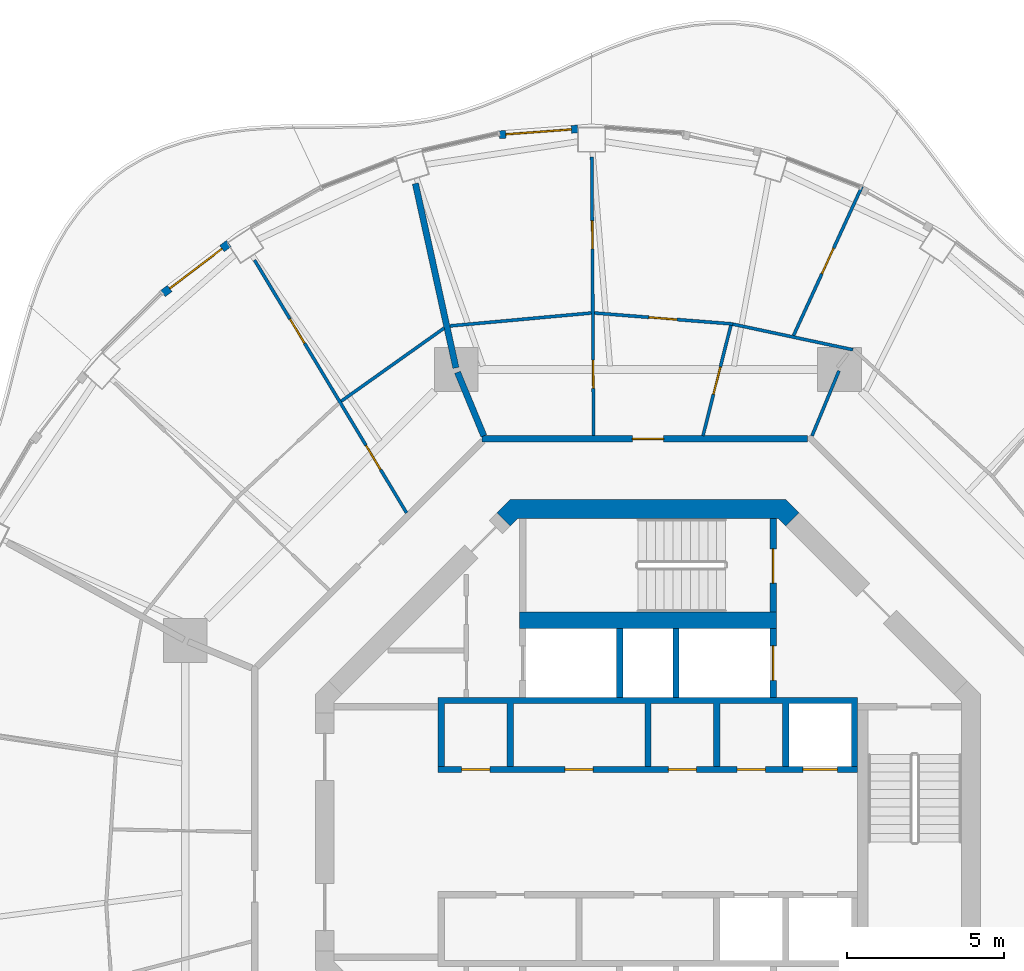
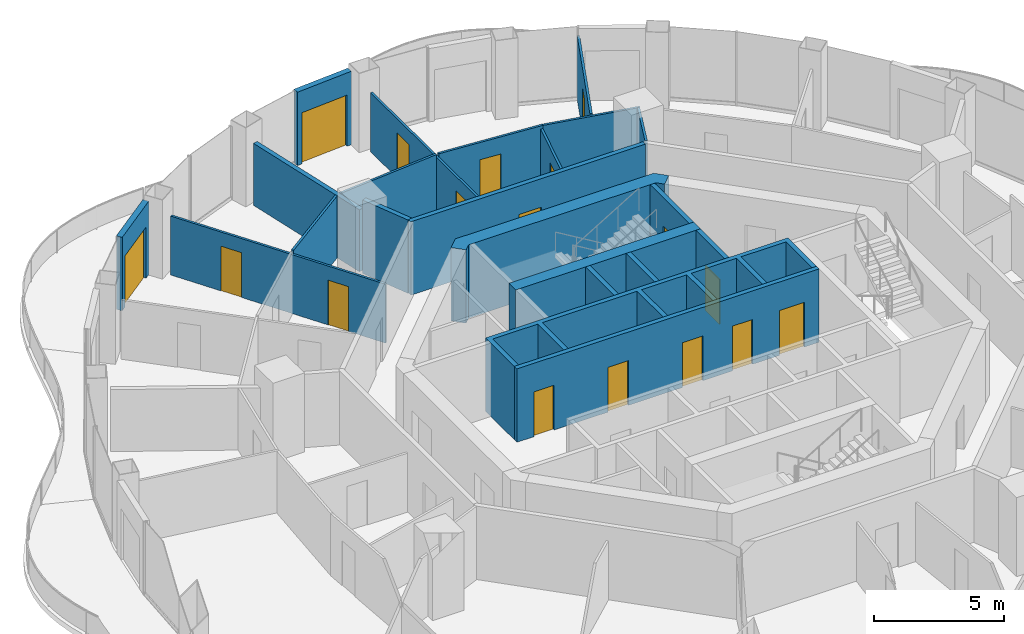
# One storey, part 13 of 17: 22 walls, 17 doors, 17 openings.
"""IFC4 building model written with IfcOpenShell, lengths in metres."""

from ifc_helpers import new_model, si_unit, direction, frame, frame_2d, origin, place, context, subcontext, project, spatial, polyline, rectangle, outline, extrude, material, layer, layer_set, type_object, element, fill, save


model = new_model("IFC4")

# Units and contexts
model_context = context("Model", 3, precision=1e-05, world=origin(), true_north=direction((0.0, 1.0)))
body_context = subcontext(model_context, "Body", "Model", "MODEL_VIEW")
ifc_project = project(units=[si_unit("LENGTHUNIT", "METRE"), si_unit("AREAUNIT", "SQUARE_METRE"), si_unit("VOLUMEUNIT", "CUBIC_METRE"), si_unit("PLANEANGLEUNIT", "RADIAN"), si_unit("MASSUNIT", "GRAM", prefix="KILO")], contexts=[model_context])

# Site, building, storey
site_placement = place(None, origin())
site = spatial("IfcSite", under=ifc_project, at=site_placement, CompositionType="ELEMENT")
building_placement = place(site_placement, origin())
building = spatial("IfcBuilding", under=site, at=building_placement, Name="Nagisa Residences", CompositionType="ELEMENT")
storey_placement = place(building_placement, frame((0.0, 0.0, 269.60009765625)))
storey = spatial("IfcBuildingStorey", under=building, at=storey_placement, Name="L68", CompositionType="ELEMENT", Elevation=269.60009765625)

# Walls
ifc_material_1 = material(Name="Gypsum board on steel studs", Category="steel")
ifc_layer_1 = layer(ifc_material_1, 0.199951171875)
ifc_layer_set_1 = layer_set([ifc_layer_1], Name="Apartment compartment wall EI60 200")
wall_type_1 = type_object("IfcWallType", Name="Apartment compartment wall EI60 200", PredefinedType="PARTITIONING", material=ifc_layer_set_1)
wall_1_placement = place(storey_placement, frame((-5.24267578125, 12.6572265625, 0.0), z_axis=(0.0, 0.0, 1.0), x_axis=(-0.38273085373, 0.923859888513, 0.0)))
element("IfcWall", 1, at=wall_1_placement, inside=storey, type_object=wall_type_1, Name="wall:L68:u02", PredefinedType="PARTITIONING", context=body_context, shape_type="SweptSolid", body=[
    extrude(rectangle(XDim=2.199462890625, YDim=0.199951171875, at=frame_2d((1.099609375, 0.0))), origin(), (0.0, 0.0, 1.0), 3.43994140625),
])
wall_2_placement = place(storey_placement, frame((-6.133544921875, 14.830810546875, 0.0), z_axis=(0.0, 0.0, 1.0), x_axis=(-0.214842475666, 0.976648714047, 0.0)))
element("IfcWall", 2, at=wall_2_placement, inside=storey, type_object=wall_type_1, Name="wall:L68:u03", PredefinedType="PARTITIONING", context=body_context, shape_type="SweptSolid", body=[
    extrude(rectangle(XDim=6.03076171875, YDim=0.199951171875, at=frame_2d((3.015380859375, 0.0))), origin(), (0.0, 0.0, 1.0), 2.90478515625),
])

# Wall, opening, door
ifc_material_2 = material(Name="Gypsum board on steel studs", Category="steel")
ifc_layer_2 = layer(ifc_material_2, 0.199951171875)
ifc_layer_set_2 = layer_set([ifc_layer_2], Name="Apartment entry wall EI60 200")
wall_type_2 = type_object("IfcWallType", Name="Apartment entry wall EI60 200", PredefinedType="PARTITIONING", material=ifc_layer_set_2)
wall_3_placement = place(storey_placement, frame((5.1044921875, 12.564697265625, 0.0), z_axis=(0.0, 0.0, 1.0), x_axis=(-1.0, 0.0, 0.0)))
wall_3 = element("IfcWall", 3, at=wall_3_placement, inside=storey, type_object=wall_type_2, Name="wall:L68:u12", PredefinedType="PARTITIONING", context=body_context, shape_type="SweptSolid", body=[
    extrude(rectangle(XDim=10.408935546875, YDim=0.199951171875, at=frame_2d((5.20458984375, 0.0))), origin(), (0.0, 0.0, 1.0), 3.43994140625),
])
opening_1_placement = place(wall_3_placement, frame((4.6044921875, 0.0, 0.0)))
opening_1 = element("IfcOpeningElement", 4, at=opening_1_placement, cuts=wall_3, Name="Opening L68-U01", PredefinedType="OPENING", context=body_context, shape_type="SweptSolid", body=[
    extrude(rectangle(XDim=1.0, YDim=2.10009765625, at=frame_2d((0.5, 1.050048828125))), frame((0.0, 0.10986328125, 0.0), z_axis=(0.0, -1.0, 0.0), x_axis=(1.0, 0.0, 0.0)), (0.0, 0.0, 1.0), 0.219970703125),
])
ifc_material_3 = material(Name="Timber fire door set", Category="wood")
door_type_1 = type_object("IfcDoorType", Name="Apartment entry door FD30S 1000x2100", OperationType="NOTDEFINED", PredefinedType="DOOR", material=ifc_material_3)
door_1_placement = place(opening_1_placement, frame((1.0, 0.0, 0.0), x_axis=(-1.0, 0.0, 0.0)))
door_1 = element("IfcDoor", 5, at=door_1_placement, inside=storey, type_object=door_type_1, Name="Entry door, Apartment 68A", OperationType="SINGLE_SWING_RIGHT", OverallHeight=2.10009765625, OverallWidth=1.0, PredefinedType="DOOR", context=body_context, shape_type="SweptSolid", body=[
    extrude(rectangle(XDim=1.0, YDim=2.10009765625, at=frame_2d((0.5, 1.050048828125))), frame((0.0, 0.02490234375, 0.0), z_axis=(0.0, -1.0, 0.0), x_axis=(1.0, 0.0, 0.0)), (0.0, 0.0, 1.0), 0.050048828125),
])
fill(opening_1, door_1)

# Walls
ifc_material_4 = material(Name="Gypsum board on steel studs", Category="steel")
ifc_layer_3 = layer(ifc_material_4, 0.10009765625)
ifc_layer_set_3 = layer_set([ifc_layer_3], Name="Apartment partition 100")
wall_type_3 = type_object("IfcWallType", Name="Apartment partition 100", PredefinedType="PARTITIONING", material=ifc_layer_set_3)
wall_4_placement = place(storey_placement, frame((5.24267578125, 12.6572265625, 0.0), z_axis=(0.0, 0.0, 1.0), x_axis=(0.382719158442, 0.923864733477, 0.0)))
element("IfcWall", 6, at=wall_4_placement, inside=storey, type_object=wall_type_3, Name="wall:L68:u27", PredefinedType="PARTITIONING", context=body_context, shape_type="SweptSolid", body=[
    extrude(rectangle(XDim=2.25, YDim=0.10009765625, at=frame_2d((1.125, 0.0))), origin(), (0.0, 0.0, 1.0), 3.43994140625),
])
wall_5_placement = place(storey_placement, frame((6.549560546875, 15.408935546875, 0.0), z_axis=(0.0, 0.0, 1.0), x_axis=(-0.978051195976, 0.208364723621, 0.0)))
element("IfcWall", 7, at=wall_5_placement, inside=storey, type_object=wall_type_3, Name="wall:L68:u28", PredefinedType="PARTITIONING", context=body_context, shape_type="SweptSolid", body=[
    extrude(rectangle(XDim=3.924072265625, YDim=0.10009765625, at=frame_2d((1.9619140625, 0.0))), origin(), (0.0, 0.0, 1.0), 2.90478515625),
])

# Wall, opening, door
wall_6_placement = place(storey_placement, frame((4.6513671875, 15.86328125, 0.0), z_axis=(0.0, 0.0, 1.0), x_axis=(0.41744196735, 0.908703584176, 0.0)))
wall_6 = element("IfcWall", 8, at=wall_6_placement, inside=storey, type_object=wall_type_3, Name="wall:L68:u29", PredefinedType="PARTITIONING", context=body_context, shape_type="SweptSolid", body=[
    extrude(rectangle(XDim=5.241943359375, YDim=0.10009765625, at=frame_2d((2.62109375, 0.0))), origin(), (0.0, 0.0, 1.0), 2.98291015625),
])
opening_2_placement = place(wall_6_placement, frame((2.1708984375, 0.0, 0.0)))
opening_2 = element("IfcOpeningElement", 9, at=opening_2_placement, cuts=wall_6, Name="Opening L68-U06", PredefinedType="OPENING", context=body_context, shape_type="SweptSolid", body=[
    extrude(rectangle(XDim=0.89990234375, YDim=2.10009765625, at=frame_2d((0.449951171875, 1.050048828125))), frame((0.0, 0.06005859375, 0.0), z_axis=(0.0, -1.0, 0.0), x_axis=(1.0, 0.0, 0.0)), (0.0, 0.0, 1.0), 0.1201171875),
])
ifc_material_5 = material(Name="Timber door set", Category="wood")
door_type_2 = type_object("IfcDoorType", Name="Apartment door 900x2100", OperationType="NOTDEFINED", PredefinedType="DOOR", material=ifc_material_5)
door_2_placement = place(opening_2_placement, frame((0.89990234375, 0.0, 0.0), x_axis=(-1.0, 0.0, 0.0)))
door_2 = element("IfcDoor", 10, at=door_2_placement, inside=storey, type_object=door_type_2, Name="Door to tatami room, Apartment 68A", OperationType="SINGLE_SWING_LEFT", OverallHeight=2.10009765625, OverallWidth=0.89990234375, PredefinedType="DOOR", context=body_context, shape_type="SweptSolid", body=[
    extrude(rectangle(XDim=0.89990234375, YDim=2.10009765625, at=frame_2d((0.449951171875, 1.050048828125))), frame((0.0, 0.02490234375, 0.0), z_axis=(0.0, -1.0, 0.0), x_axis=(1.0, 0.0, 0.0)), (0.0, 0.0, 1.0), 0.050048828125),
])
fill(opening_2, door_2)

wall_7_placement = place(storey_placement, frame((1.75927734375, 12.66162109375, 0.0), z_axis=(0.0, 0.0, 1.0), x_axis=(0.244966765147, 0.969531476525, 0.0)))
wall_7 = element("IfcWall", 11, at=wall_7_placement, inside=storey, type_object=wall_type_3, Name="wall:L68:u30", PredefinedType="PARTITIONING", context=body_context, shape_type="SweptSolid", body=[
    extrude(rectangle(XDim=3.6376953125, YDim=0.10009765625, at=frame_2d((1.81884765625, 0.0))), origin(), (0.0, 0.0, 1.0), 2.761962890625),
])
opening_3_placement = place(wall_7_placement, frame((1.368896484375, 0.0, 0.0)))
opening_3 = element("IfcOpeningElement", 12, at=opening_3_placement, cuts=wall_7, Name="Opening L68-U02", PredefinedType="OPENING", context=body_context, shape_type="SweptSolid", body=[
    extrude(rectangle(XDim=0.89990234375, YDim=2.10009765625, at=frame_2d((0.449951171875, 1.050048828125))), frame((0.0, 0.06005859375, 0.0), z_axis=(0.0, -1.0, 0.0), x_axis=(1.0, 0.0, 0.0)), (0.0, 0.0, 1.0), 0.1201171875),
])
door_3_placement = place(opening_3_placement, frame((0.89990234375, 0.0, 0.0), x_axis=(-1.0, 0.0, 0.0)))
door_3 = element("IfcDoor", 13, at=door_3_placement, inside=storey, type_object=door_type_2, Name="Door to family bathroom, Apartment 68A", OperationType="SINGLE_SWING_LEFT", OverallHeight=2.10009765625, OverallWidth=0.89990234375, PredefinedType="DOOR", context=body_context, shape_type="SweptSolid", body=[
    extrude(rectangle(XDim=0.89990234375, YDim=2.10009765625, at=frame_2d((0.449951171875, 1.050048828125))), frame((0.0, 0.02490234375, 0.0), z_axis=(0.0, -1.0, 0.0), x_axis=(1.0, 0.0, 0.0)), (0.0, 0.0, 1.0), 0.050048828125),
])
fill(opening_3, door_3)

wall_8_placement = place(storey_placement, frame((2.712646484375, 16.23291015625, 0.0), z_axis=(0.0, 0.0, 1.0), x_axis=(-0.996870142942, 0.079056423588, 0.0)))
wall_8 = element("IfcWall", 14, at=wall_8_placement, inside=storey, type_object=wall_type_3, Name="wall:L68:u31", PredefinedType="PARTITIONING", context=body_context, shape_type="SweptSolid", body=[
    extrude(rectangle(XDim=4.437744140625, YDim=0.10009765625, at=frame_2d((2.21875, 0.0))), origin(), (0.0, 0.0, 1.0), 2.90478515625),
])
opening_4_placement = place(wall_8_placement, frame((1.793701171875, 0.0, 0.0)))
opening_4 = element("IfcOpeningElement", 15, at=opening_4_placement, cuts=wall_8, Name="Opening L68-U04", PredefinedType="OPENING", context=body_context, shape_type="SweptSolid", body=[
    extrude(rectangle(XDim=0.89990234375, YDim=2.10009765625, at=frame_2d((0.449951171875, 1.050048828125))), frame((0.0, 0.06005859375, 0.0), z_axis=(0.0, -1.0, 0.0), x_axis=(1.0, 0.0, 0.0)), (0.0, 0.0, 1.0), 0.1201171875),
])
door_4_placement = place(opening_4_placement, frame((0.89990234375, 0.0, 0.0), x_axis=(-1.0, 0.0, 0.0)))
door_4 = element("IfcDoor", 16, at=door_4_placement, inside=storey, type_object=door_type_2, Name="Door to kitchen, Apartment 68A", OperationType="SINGLE_SWING_LEFT", OverallHeight=2.10009765625, OverallWidth=0.89990234375, PredefinedType="DOOR", context=body_context, shape_type="SweptSolid", body=[
    extrude(rectangle(XDim=0.89990234375, YDim=2.10009765625, at=frame_2d((0.449951171875, 1.050048828125))), frame((0.0, 0.02490234375, 0.0), z_axis=(0.0, -1.0, 0.0), x_axis=(1.0, 0.0, 0.0)), (0.0, 0.0, 1.0), 0.050048828125),
])
fill(opening_4, door_4)

# Wall, openings, doors
wall_9_placement = place(storey_placement, frame((-1.735595703125, 12.664794921875, 0.0), z_axis=(0.0, 0.0, 1.0), x_axis=(-0.00646827636, 0.999979080482, 0.0)))
wall_9 = element("IfcWall", 17, at=wall_9_placement, inside=storey, type_object=wall_type_3, Name="wall:L68:u32", PredefinedType="PARTITIONING", context=body_context, shape_type="SweptSolid", body=[
    extrude(rectangle(XDim=8.90771484375, YDim=0.10009765625, at=frame_2d((4.453857421875, 0.0))), origin(), (0.0, 0.0, 1.0), 2.761962890625),
])
opening_5_placement = place(wall_9_placement, frame((1.51171875, 0.0, 0.0)))
opening_5 = element("IfcOpeningElement", 18, at=opening_5_placement, cuts=wall_9, Name="Opening L68-U03", PredefinedType="OPENING", context=body_context, shape_type="SweptSolid", body=[
    extrude(rectangle(XDim=0.89990234375, YDim=2.10009765625, at=frame_2d((0.449951171875, 1.050048828125))), frame((0.0, 0.06005859375, 0.0), z_axis=(0.0, -1.0, 0.0), x_axis=(1.0, 0.0, 0.0)), (0.0, 0.0, 1.0), 0.1201171875),
])
opening_6_placement = place(wall_9_placement, frame((5.96533203125, 0.0, 0.0)))
opening_6 = element("IfcOpeningElement", 19, at=opening_6_placement, cuts=wall_9, Name="Opening L68-U05", PredefinedType="OPENING", context=body_context, shape_type="SweptSolid", body=[
    extrude(rectangle(XDim=0.89990234375, YDim=2.10009765625, at=frame_2d((0.449951171875, 1.050048828125))), frame((0.0, 0.06005859375, 0.0), z_axis=(0.0, -1.0, 0.0), x_axis=(1.0, 0.0, 0.0)), (0.0, 0.0, 1.0), 0.1201171875),
])
door_5_placement = place(opening_5_placement, origin())
door_5 = element("IfcDoor", 20, at=door_5_placement, inside=storey, type_object=door_type_2, Name="Door to family bathroom, Apartment 68A", OperationType="SINGLE_SWING_LEFT", OverallHeight=2.10009765625, OverallWidth=0.89990234375, PredefinedType="DOOR", context=body_context, shape_type="SweptSolid", body=[
    extrude(rectangle(XDim=0.89990234375, YDim=2.10009765625, at=frame_2d((0.449951171875, 1.050048828125))), frame((0.0, 0.02490234375, 0.0), z_axis=(0.0, -1.0, 0.0), x_axis=(1.0, 0.0, 0.0)), (0.0, 0.0, 1.0), 0.050048828125),
])
fill(opening_5, door_5)
door_6_placement = place(opening_6_placement, origin())
door_6 = element("IfcDoor", 21, at=door_6_placement, inside=storey, type_object=door_type_2, Name="Door to master bedroom, Apartment 68A", OperationType="SINGLE_SWING_LEFT", OverallHeight=2.10009765625, OverallWidth=0.89990234375, PredefinedType="DOOR", context=body_context, shape_type="SweptSolid", body=[
    extrude(rectangle(XDim=0.89990234375, YDim=2.10009765625, at=frame_2d((0.449951171875, 1.050048828125))), frame((0.0, 0.02490234375, 0.0), z_axis=(0.0, -1.0, 0.0), x_axis=(1.0, 0.0, 0.0)), (0.0, 0.0, 1.0), 0.050048828125),
])
fill(opening_6, door_6)

# Walls
wall_10_placement = place(storey_placement, frame((-1.810791015625, 16.583251953125, 0.0), z_axis=(0.0, 0.0, 1.0), x_axis=(-0.995842301034, -0.091093970555, 0.0)))
element("IfcWall", 22, at=wall_10_placement, inside=storey, type_object=wall_type_3, Name="wall:L68:u33", PredefinedType="PARTITIONING", context=body_context, shape_type="SweptSolid", body=[
    extrude(rectangle(XDim=4.53466796875, YDim=0.10009765625, at=frame_2d((2.267333984375, 0.0))), origin(), (0.0, 0.0, 1.0), 2.90478515625),
])
wall_11_placement = place(storey_placement, frame((-6.5078125, 16.10302734375, 0.0), z_axis=(0.0, 0.0, 1.0), x_axis=(-0.815202203556, -0.579176456114, 0.0)))
element("IfcWall", 23, at=wall_11_placement, inside=storey, type_object=wall_type_3, Name="wall:L68:u34", PredefinedType="PARTITIONING", context=body_context, shape_type="SweptSolid", body=[
    extrude(rectangle(XDim=4.0361328125, YDim=0.10009765625, at=frame_2d((2.01806640625, 0.0))), origin(), (0.0, 0.0, 1.0), 2.90478515625),
])

# Wall, openings, doors
wall_12_placement = place(storey_placement, frame((-7.70947265625, 10.197021484375, 0.0), z_axis=(0.0, 0.0, 1.0), x_axis=(-0.515516160663, 0.856879856278, 0.0)))
wall_12 = element("IfcWall", 24, at=wall_12_placement, inside=storey, type_object=wall_type_3, Name="wall:L68:u35", PredefinedType="PARTITIONING", context=body_context, shape_type="SweptSolid", body=[
    extrude(rectangle(XDim=9.42626953125, YDim=0.10009765625, at=frame_2d((4.713134765625, 0.0))), origin(), (0.0, 0.0, 1.0), 2.761962890625),
])
opening_7_placement = place(wall_12_placement, frame((1.615234375, 0.0, 0.0)))
opening_7 = element("IfcOpeningElement", 25, at=opening_7_placement, cuts=wall_12, Name="Opening L68-U10", PredefinedType="OPENING", context=body_context, shape_type="SweptSolid", body=[
    extrude(rectangle(XDim=0.89990234375, YDim=2.10009765625, at=frame_2d((0.449951171875, 1.050048828125))), frame((0.0, 0.06005859375, 0.0), z_axis=(0.0, -1.0, 0.0), x_axis=(1.0, 0.0, 0.0)), (0.0, 0.0, 1.0), 0.1201171875),
])
opening_8_placement = place(wall_12_placement, frame((6.328369140625, 0.0, 0.0)))
opening_8 = element("IfcOpeningElement", 26, at=opening_8_placement, cuts=wall_12, Name="Opening L68-U14", PredefinedType="OPENING", context=body_context, shape_type="SweptSolid", body=[
    extrude(rectangle(XDim=0.89990234375, YDim=2.10009765625, at=frame_2d((0.449951171875, 1.050048828125))), frame((0.0, 0.06005859375, 0.0), z_axis=(0.0, -1.0, 0.0), x_axis=(1.0, 0.0, 0.0)), (0.0, 0.0, 1.0), 0.1201171875),
])
door_7_placement = place(opening_7_placement, frame((0.89990234375, 0.0, 0.0), x_axis=(-1.0, 0.0, 0.0)))
door_7 = element("IfcDoor", 27, at=door_7_placement, inside=storey, type_object=door_type_2, Name="Door to family bathroom, Apartment 68B", OperationType="SINGLE_SWING_LEFT", OverallHeight=2.10009765625, OverallWidth=0.89990234375, PredefinedType="DOOR", context=body_context, shape_type="SweptSolid", body=[
    extrude(rectangle(XDim=0.89990234375, YDim=2.10009765625, at=frame_2d((0.449951171875, 1.050048828125))), frame((0.0, 0.02490234375, 0.0), z_axis=(0.0, -1.0, 0.0), x_axis=(1.0, 0.0, 0.0)), (0.0, 0.0, 1.0), 0.050048828125),
])
fill(opening_7, door_7)
door_8_placement = place(opening_8_placement, frame((0.89990234375, 0.0, 0.0), x_axis=(-1.0, 0.0, 0.0)))
door_8 = element("IfcDoor", 28, at=door_8_placement, inside=storey, type_object=door_type_2, Name="Door to kitchen, Apartment 68B", OperationType="SINGLE_SWING_LEFT", OverallHeight=2.10009765625, OverallWidth=0.89990234375, PredefinedType="DOOR", context=body_context, shape_type="SweptSolid", body=[
    extrude(rectangle(XDim=0.89990234375, YDim=2.10009765625, at=frame_2d((0.449951171875, 1.050048828125))), frame((0.0, 0.02490234375, 0.0), z_axis=(0.0, -1.0, 0.0), x_axis=(1.0, 0.0, 0.0)), (0.0, 0.0, 1.0), 0.050048828125),
])
fill(opening_8, door_8)

# Wall, opening, door
ifc_material_6 = material(Name="Precast concrete C40/50", Category="concrete")
ifc_layer_4 = layer(ifc_material_6, 0.25)
ifc_layer_set_4 = layer_set([ifc_layer_4], Name="BALCONY DOOR WALL 250")
wall_type_4 = type_object("IfcWallType", Name="BALCONY DOOR WALL 250", PredefinedType="SOLIDWALL", material=ifc_layer_set_4)
wall_13_placement = place(storey_placement, frame((-4.7431640625, 22.27734375, 0.0), z_axis=(0.0, 0.0, 1.0), x_axis=(0.99722914645, 0.074391057731, 0.0)))
wall_13 = element("IfcWall", 29, at=wall_13_placement, inside=storey, type_object=wall_type_4, Name="wall:L68:bay12", PredefinedType="SOLIDWALL", context=body_context, shape_type="SweptSolid", body=[
    extrude(rectangle(XDim=2.510498046875, YDim=0.25, at=frame_2d((1.25537109375, 0.0))), origin(), (0.0, 0.0, 1.0), 3.43994140625),
])
opening_9_placement = place(wall_13_placement, frame((0.205322265625, 0.0, 0.0)))
opening_9 = element("IfcOpeningElement", 30, at=opening_9_placement, cuts=wall_13, Name="Opening BD-L68-05", PredefinedType="OPENING", context=body_context, shape_type="SweptSolid", body=[
    extrude(rectangle(XDim=2.10009765625, YDim=2.39990234375, at=frame_2d((1.050048828125, 1.199951171875))), frame((0.0, 0.135009765625, 0.0), z_axis=(0.0, -1.0, 0.0), x_axis=(1.0, 0.0, 0.0)), (0.0, 0.0, 1.0), 0.27001953125),
])
ifc_material_7 = material(Name="Aluminium and clear glass", Category="aluminium")
door_type_3 = type_object("IfcDoorType", Name="BALCONY SLIDING DOOR 2100x2400", OperationType="SLIDING_TO_LEFT", PredefinedType="DOOR", material=ifc_material_7)
door_9_placement = place(opening_9_placement, origin())
door_9 = element("IfcDoor", 31, at=door_9_placement, inside=storey, type_object=door_type_3, Name="door:L68:bay12", OperationType="SLIDING_TO_LEFT", OverallHeight=2.39990234375, OverallWidth=2.10009765625, PredefinedType="DOOR", context=body_context, shape_type="SweptSolid", body=[
    extrude(rectangle(XDim=2.10009765625, YDim=2.39990234375, at=frame_2d((1.050048828125, 1.199951171875))), frame((0.0, 0.02490234375, 0.0), z_axis=(0.0, -1.0, 0.0), x_axis=(1.0, 0.0, 0.0)), (0.0, 0.0, 1.0), 0.050048828125),
])
fill(opening_9, door_9)

wall_14_placement = place(storey_placement, frame((-15.49462890625, 17.20361328125, 0.0), z_axis=(0.0, 0.0, 1.0), x_axis=(0.796010739377, 0.605282498339, 0.0)))
wall_14 = element("IfcWall", 32, at=wall_14_placement, inside=storey, type_object=wall_type_4, Name="wall:L68:bay16", PredefinedType="SOLIDWALL", context=body_context, shape_type="SweptSolid", body=[
    extrude(rectangle(XDim=2.640625, YDim=0.25, at=frame_2d((1.3203125, 0.0))), origin(), (0.0, 0.0, 1.0), 3.43994140625),
])
opening_10_placement = place(wall_14_placement, frame((0.270263671875, 0.0, 0.0)))
opening_10 = element("IfcOpeningElement", 33, at=opening_10_placement, cuts=wall_14, Name="Opening BD-L68-06", PredefinedType="OPENING", context=body_context, shape_type="SweptSolid", body=[
    extrude(rectangle(XDim=2.10009765625, YDim=2.39990234375, at=frame_2d((1.050048828125, 1.199951171875))), frame((0.0, 0.135009765625, 0.0), z_axis=(0.0, -1.0, 0.0), x_axis=(1.0, 0.0, 0.0)), (0.0, 0.0, 1.0), 0.27001953125),
])
door_10_placement = place(opening_10_placement, origin())
door_10 = element("IfcDoor", 34, at=door_10_placement, inside=storey, type_object=door_type_3, Name="door:L68:bay16", OperationType="SLIDING_TO_LEFT", OverallHeight=2.39990234375, OverallWidth=2.10009765625, PredefinedType="DOOR", context=body_context, shape_type="SweptSolid", body=[
    extrude(rectangle(XDim=2.10009765625, YDim=2.39990234375, at=frame_2d((1.050048828125, 1.199951171875))), frame((0.0, 0.02490234375, 0.0), z_axis=(0.0, -1.0, 0.0), x_axis=(1.0, 0.0, 0.0)), (0.0, 0.0, 1.0), 0.050048828125),
])
fill(opening_10, door_10)

# Wall
ifc_material_8 = material(Name="Concrete C60", Category="concrete")
ifc_layer_5 = layer(ifc_material_8, 0.60009765625)
ifc_layer_set_5 = layer_set([ifc_layer_5], Name="Core shear wall 600")
wall_type_5 = type_object("IfcWallType", Name="Core shear wall 600", PredefinedType="SHEAR", material=ifc_layer_set_5)
wall_15_placement = place(storey_placement, origin())
element("IfcWall", 35, at=wall_15_placement, inside=storey, type_object=wall_type_5, Name="wall:L68:core:flat2", PredefinedType="SHEAR", context=body_context, shape_type="SweptSolid", body=[
    extrude(outline(polyline([(-4.15234375, 10.024658203125), (-4.40087890625, 9.776123046875), (-4.8251953125, 10.200439453125), (-4.40087890625, 10.62451171875), (4.40087890625, 10.62451171875), (4.8251953125, 10.200439453125), (4.40087890625, 9.776123046875), (4.15234375, 10.024658203125), (-4.15234375, 10.024658203125)])), origin(), (0.0, 0.0, 1.0), 3.43994140625),
])

# Wall, opening, door
ifc_material_9 = material(Name="Concrete C60", Category="concrete")
ifc_layer_6 = layer(ifc_material_9, 0.199951171875)
ifc_layer_set_6 = layer_set([ifc_layer_6], Name="Lift shaft wall 200")
wall_type_6 = type_object("IfcWallType", Name="Lift shaft wall 200", PredefinedType="SOLIDWALL", material=ifc_layer_set_6)
wall_16_placement = place(storey_placement, frame((4.0, 4.300048828125, 0.0), z_axis=(0.0, 0.0, 1.0), x_axis=(0.0, 1.0, 0.0)))
wall_16 = element("IfcWall", 36, at=wall_16_placement, inside=storey, type_object=wall_type_6, Name="wall:L68:Nb3", PredefinedType="SOLIDWALL", context=body_context, shape_type="SweptSolid", body=[
    extrude(rectangle(XDim=2.199951171875, YDim=0.199951171875, at=frame_2d((1.10009765625, 0.0))), origin(), (0.0, 0.0, 1.0), 3.43994140625),
])
opening_11_placement = place(wall_16_placement, frame((0.550048828125, 0.0, 0.0)))
opening_11 = element("IfcOpeningElement", 37, at=opening_11_placement, cuts=wall_16, Name="Opening L68-C04", PredefinedType="OPENING", context=body_context, shape_type="SweptSolid", body=[
    extrude(rectangle(XDim=1.10009765625, YDim=2.10009765625, at=frame_2d((0.550048828125, 1.050048828125))), frame((0.0, 0.10986328125, 0.0), z_axis=(0.0, -1.0, 0.0), x_axis=(1.0, 0.0, 0.0)), (0.0, 0.0, 1.0), 0.219970703125),
])
ifc_material_10 = material(Name="Stainless steel", Category="steel")
door_type_4 = type_object("IfcDoorType", Name="Lift landing door 1100x2100", OperationType="DOUBLE_DOOR_SLIDING", PredefinedType="DOOR", material=ifc_material_10)
door_11_placement = place(opening_11_placement, origin())
door_11 = element("IfcDoor", 38, at=door_11_placement, inside=storey, type_object=door_type_4, Name="Landing door FL1 L68", OperationType="DOUBLE_DOOR_SLIDING", OverallHeight=2.10009765625, OverallWidth=1.10009765625, PredefinedType="DOOR", context=body_context, shape_type="SweptSolid", body=[
    extrude(rectangle(XDim=1.10009765625, YDim=2.10009765625, at=frame_2d((0.550048828125, 1.050048828125))), frame((0.0, 0.02490234375, 0.0), z_axis=(0.0, -1.0, 0.0), x_axis=(1.0, 0.0, 0.0)), (0.0, 0.0, 1.0), 0.050048828125),
])
fill(opening_11, door_11)

# Wall, openings, doors
wall_17_placement = place(storey_placement, frame((-6.699951171875, 2.0, 0.0), z_axis=(0.0, 0.0, 1.0), x_axis=(1.0, 0.0, 0.0)))
wall_17 = element("IfcWall", 39, at=wall_17_placement, inside=storey, type_object=wall_type_6, Name="wall:L68:Nfront", PredefinedType="SOLIDWALL", context=body_context, shape_type="SweptSolid", body=[
    extrude(rectangle(XDim=13.39990234375, YDim=0.199951171875, at=frame_2d((6.699951171875, 0.0))), origin(), (0.0, 0.0, 1.0), 3.43994140625),
])
opening_12_placement = place(wall_17_placement, frame((11.64990234375, 0.0, 0.0)))
opening_12 = element("IfcOpeningElement", 40, at=opening_12_placement, cuts=wall_17, Name="Opening L68-C01", PredefinedType="OPENING", context=body_context, shape_type="SweptSolid", body=[
    extrude(rectangle(XDim=1.10009765625, YDim=2.10009765625, at=frame_2d((0.550048828125, 1.050048828125))), frame((0.0, 0.10986328125, 0.0), z_axis=(0.0, -1.0, 0.0), x_axis=(1.0, 0.0, 0.0)), (0.0, 0.0, 1.0), 0.219970703125),
])
opening_13_placement = place(wall_17_placement, frame((0.75, 0.0, 0.0)))
opening_13 = element("IfcOpeningElement", 41, at=opening_13_placement, cuts=wall_17, Name="Opening L68-C15", PredefinedType="OPENING", context=body_context, shape_type="SweptSolid", body=[
    extrude(rectangle(XDim=0.89990234375, YDim=2.10009765625, at=frame_2d((0.449951171875, 1.050048828125))), frame((0.0, 0.10986328125, 0.0), z_axis=(0.0, -1.0, 0.0), x_axis=(1.0, 0.0, 0.0)), (0.0, 0.0, 1.0), 0.219970703125),
])
opening_14_placement = place(wall_17_placement, frame((4.050048828125, 0.0, 0.0)))
opening_14 = element("IfcOpeningElement", 42, at=opening_14_placement, cuts=wall_17, Name="Opening L68-C16", PredefinedType="OPENING", context=body_context, shape_type="SweptSolid", body=[
    extrude(rectangle(XDim=0.89990234375, YDim=2.10009765625, at=frame_2d((0.449951171875, 1.050048828125))), frame((0.0, 0.10986328125, 0.0), z_axis=(0.0, -1.0, 0.0), x_axis=(1.0, 0.0, 0.0)), (0.0, 0.0, 1.0), 0.219970703125),
])
opening_15_placement = place(wall_17_placement, frame((7.35009765625, 0.0, 0.0)))
opening_15 = element("IfcOpeningElement", 43, at=opening_15_placement, cuts=wall_17, Name="Opening L68-C17", PredefinedType="OPENING", context=body_context, shape_type="SweptSolid", body=[
    extrude(rectangle(XDim=0.89990234375, YDim=2.10009765625, at=frame_2d((0.449951171875, 1.050048828125))), frame((0.0, 0.10986328125, 0.0), z_axis=(0.0, -1.0, 0.0), x_axis=(1.0, 0.0, 0.0)), (0.0, 0.0, 1.0), 0.219970703125),
])
opening_16_placement = place(wall_17_placement, frame((9.550048828125, 0.0, 0.0)))
opening_16 = element("IfcOpeningElement", 44, at=opening_16_placement, cuts=wall_17, Name="Opening L68-C18", PredefinedType="OPENING", context=body_context, shape_type="SweptSolid", body=[
    extrude(rectangle(XDim=0.89990234375, YDim=2.10009765625, at=frame_2d((0.449951171875, 1.050048828125))), frame((0.0, 0.10986328125, 0.0), z_axis=(0.0, -1.0, 0.0), x_axis=(1.0, 0.0, 0.0)), (0.0, 0.0, 1.0), 0.219970703125),
])
ifc_material_11 = material(Name="Steel fire door", Category="steel")
door_type_5 = type_object("IfcDoorType", Name="Fire door EI30 900x2100 single swing", OperationType="NOTDEFINED", PredefinedType="DOOR", material=ifc_material_11)
door_12_placement = place(opening_13_placement, origin())
door_12 = element("IfcDoor", 45, at=door_12_placement, inside=storey, type_object=door_type_5, Name="Stationery store door L68", OperationType="SINGLE_SWING_RIGHT", OverallHeight=2.10009765625, OverallWidth=0.89990234375, PredefinedType="DOOR", context=body_context, shape_type="SweptSolid", body=[
    extrude(rectangle(XDim=0.89990234375, YDim=2.10009765625, at=frame_2d((0.449951171875, 1.050048828125))), frame((0.0, 0.02490234375, 0.0), z_axis=(0.0, -1.0, 0.0), x_axis=(1.0, 0.0, 0.0)), (0.0, 0.0, 1.0), 0.050048828125),
])
fill(opening_13, door_12)
door_13_placement = place(opening_14_placement, origin())
door_13 = element("IfcDoor", 46, at=door_13_placement, inside=storey, type_object=door_type_5, Name="Wine store door L68", OperationType="SINGLE_SWING_RIGHT", OverallHeight=2.10009765625, OverallWidth=0.89990234375, PredefinedType="DOOR", context=body_context, shape_type="SweptSolid", body=[
    extrude(rectangle(XDim=0.89990234375, YDim=2.10009765625, at=frame_2d((0.449951171875, 1.050048828125))), frame((0.0, 0.02490234375, 0.0), z_axis=(0.0, -1.0, 0.0), x_axis=(1.0, 0.0, 0.0)), (0.0, 0.0, 1.0), 0.050048828125),
])
fill(opening_14, door_13)
door_14_placement = place(opening_15_placement, origin())
door_14 = element("IfcDoor", 47, at=door_14_placement, inside=storey, type_object=door_type_5, Name="Package room door L68", OperationType="SINGLE_SWING_RIGHT", OverallHeight=2.10009765625, OverallWidth=0.89990234375, PredefinedType="DOOR", context=body_context, shape_type="SweptSolid", body=[
    extrude(rectangle(XDim=0.89990234375, YDim=2.10009765625, at=frame_2d((0.449951171875, 1.050048828125))), frame((0.0, 0.02490234375, 0.0), z_axis=(0.0, -1.0, 0.0), x_axis=(1.0, 0.0, 0.0)), (0.0, 0.0, 1.0), 0.050048828125),
])
fill(opening_15, door_14)
door_15_placement = place(opening_16_placement, origin())
door_15 = element("IfcDoor", 48, at=door_15_placement, inside=storey, type_object=door_type_5, Name="Linen store door L68", OperationType="SINGLE_SWING_LEFT", OverallHeight=2.10009765625, OverallWidth=0.89990234375, PredefinedType="DOOR", context=body_context, shape_type="SweptSolid", body=[
    extrude(rectangle(XDim=0.89990234375, YDim=2.10009765625, at=frame_2d((0.449951171875, 1.050048828125))), frame((0.0, 0.02490234375, 0.0), z_axis=(0.0, -1.0, 0.0), x_axis=(1.0, 0.0, 0.0)), (0.0, 0.0, 1.0), 0.050048828125),
])
fill(opening_16, door_15)
door_16_placement = place(opening_12_placement, origin())
door_16 = element("IfcDoor", 49, at=door_16_placement, inside=storey, type_object=door_type_4, Name="Landing door C1 L68", OperationType="DOUBLE_DOOR_SLIDING", OverallHeight=2.10009765625, OverallWidth=1.10009765625, PredefinedType="DOOR", context=body_context, shape_type="SweptSolid", body=[
    extrude(rectangle(XDim=1.10009765625, YDim=2.10009765625, at=frame_2d((0.550048828125, 1.050048828125))), frame((0.0, 0.02490234375, 0.0), z_axis=(0.0, -1.0, 0.0), x_axis=(1.0, 0.0, 0.0)), (0.0, 0.0, 1.0), 0.050048828125),
])
fill(opening_12, door_16)

# Walls
for number, where, z_axis, x_axis, name in (
    (50, (-0.89990234375, 4.300048828125, 0.0), (0.0, 0.0, 1.0), (0.0, 1.0, 0.0), "wall:L68:Nb1"),
    (51, (0.89990234375, 4.300048828125, 0.0), (0.0, 0.0, 1.0), (0.0, 1.0, 0.0), "wall:L68:Nb2"),
):
    element("IfcWall", number, at=place(storey_placement, frame(where, z_axis=z_axis, x_axis=x_axis)), inside=storey, type_object=wall_type_6, Name=name, PredefinedType="SOLIDWALL", context=body_context, shape_type="SweptSolid", body=[
        extrude(rectangle(XDim=2.199951171875, YDim=0.199951171875, at=frame_2d((1.10009765625, 0.0))), origin(), (0.0, 0.0, 1.0), 3.43994140625),
    ])
wall_18_placement = place(storey_placement, origin())
element("IfcWall", 52, at=wall_18_placement, inside=storey, type_object=wall_type_6, Name="wall:L68:Nback", PredefinedType="SOLIDWALL", context=body_context, shape_type="SweptSolid", body=[
    extrude(outline(polyline([(-6.699951171875, 4.300048828125), (6.699951171875, 4.300048828125), (6.699951171875, 2.10009765625), (6.5, 2.10009765625), (6.5, 4.10009765625), (4.5, 4.10009765625), (4.5, 2.10009765625), (4.300048828125, 2.10009765625), (4.300048828125, 4.10009765625), (2.300048828125, 4.10009765625), (2.300048828125, 2.10009765625), (2.10009765625, 2.10009765625), (2.10009765625, 4.10009765625), (0.10009765625, 4.10009765625), (0.10009765625, 2.10009765625), (-0.10009765625, 2.10009765625), (-0.10009765625, 4.10009765625), (-4.300048828125, 4.10009765625), (-4.300048828125, 2.10009765625), (-4.5, 2.10009765625), (-4.5, 4.10009765625), (-6.5, 4.10009765625), (-6.5, 2.10009765625), (-6.699951171875, 2.10009765625), (-6.699951171875, 4.300048828125)])), origin(), (0.0, 0.0, 1.0), 3.43994140625),
])

# Wall, opening, door
ifc_material_12 = material(Name="Concrete C60", Category="concrete")
ifc_layer_7 = layer(ifc_material_12, 0.199951171875)
ifc_layer_set_7 = layer_set([ifc_layer_7], Name="Stair enclosure wall 200")
wall_type_7 = type_object("IfcWallType", Name="Stair enclosure wall 200", PredefinedType="SOLIDWALL", material=ifc_layer_set_7)
wall_19_placement = place(storey_placement, frame((4.0, 7.024658203125, 0.0), z_axis=(0.0, 0.0, 1.0), x_axis=(0.0, 1.0, 0.0)))
wall_19 = element("IfcWall", 53, at=wall_19_placement, inside=storey, type_object=wall_type_7, Name="wall:L68:SN_e", PredefinedType="SOLIDWALL", context=body_context, shape_type="SweptSolid", body=[
    extrude(rectangle(XDim=3.0, YDim=0.199951171875, at=frame_2d((1.5, 0.0))), origin(), (0.0, 0.0, 1.0), 3.43994140625),
])
opening_17_placement = place(wall_19_placement, frame((0.92529296875, 0.0, 0.0)))
opening_17 = element("IfcOpeningElement", 54, at=opening_17_placement, cuts=wall_19, Name="Opening L68-C08", PredefinedType="OPENING", context=body_context, shape_type="SweptSolid", body=[
    extrude(rectangle(XDim=1.10009765625, YDim=2.10009765625, at=frame_2d((0.550048828125, 1.050048828125))), frame((0.0, 0.10986328125, 0.0), z_axis=(0.0, -1.0, 0.0), x_axis=(1.0, 0.0, 0.0)), (0.0, 0.0, 1.0), 0.219970703125),
])
ifc_material_13 = material(Name="Steel fire door", Category="steel")
door_type_6 = type_object("IfcDoorType", Name="Fire door EI90 1100x2100 single swing", OperationType="NOTDEFINED", PredefinedType="DOOR", material=ifc_material_13)
door_17_placement = place(opening_17_placement, origin())
door_17 = element("IfcDoor", 55, at=door_17_placement, inside=storey, type_object=door_type_6, Name="Stair door ST-N L68", OperationType="SINGLE_SWING_RIGHT", OverallHeight=2.10009765625, OverallWidth=1.10009765625, PredefinedType="DOOR", context=body_context, shape_type="SweptSolid", body=[
    extrude(rectangle(XDim=1.10009765625, YDim=2.10009765625, at=frame_2d((0.550048828125, 1.050048828125))), frame((0.0, 0.02490234375, 0.0), z_axis=(0.0, -1.0, 0.0), x_axis=(1.0, 0.0, 0.0)), (0.0, 0.0, 1.0), 0.050048828125),
])
fill(opening_17, door_17)

# Wall
wall_20_placement = place(storey_placement, origin())
element("IfcWall", 56, at=wall_20_placement, inside=storey, type_object=wall_type_7, Name="wall:L68:SN_s", PredefinedType="SOLIDWALL", context=body_context, shape_type="SweptSolid", body=[
    extrude(outline(polyline([(4.10009765625, 6.5), (-4.10009765625, 6.5), (-4.10009765625, 7.024658203125), (4.10009765625, 7.024658203125), (4.10009765625, 6.5)])), origin(), (0.0, 0.0, 1.0), 3.43994140625),
])

save(model, "model.ifc")
